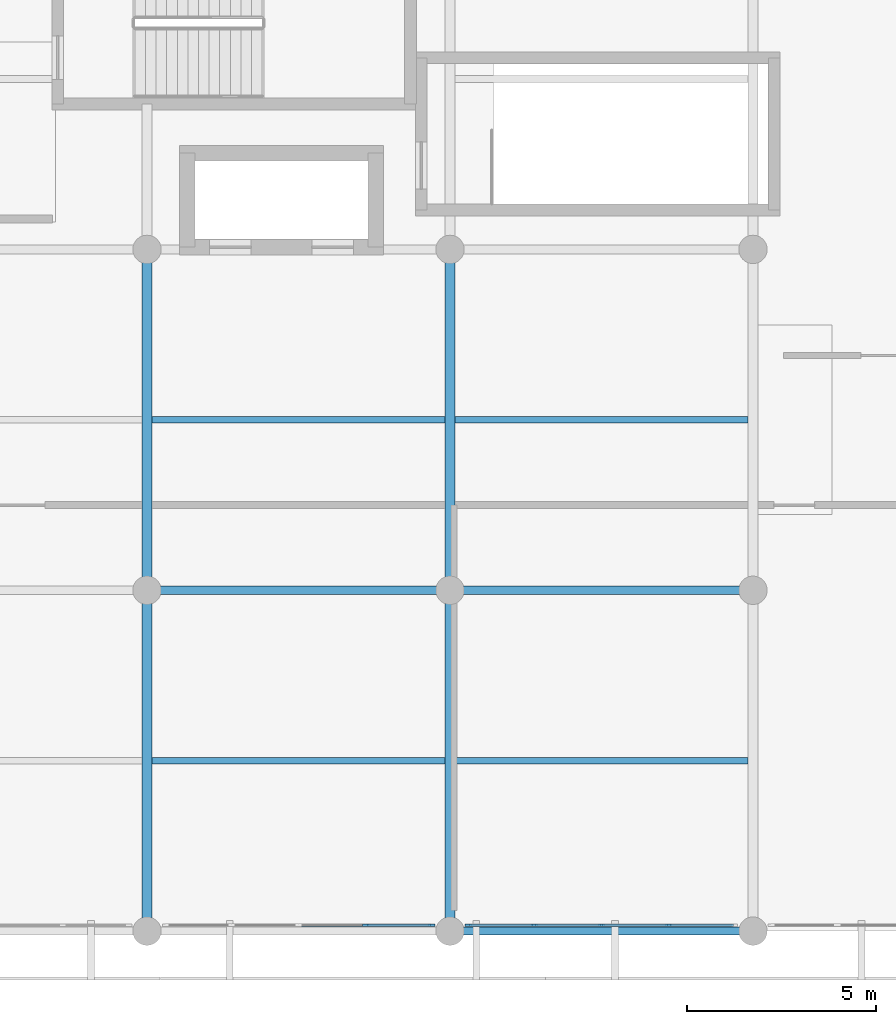
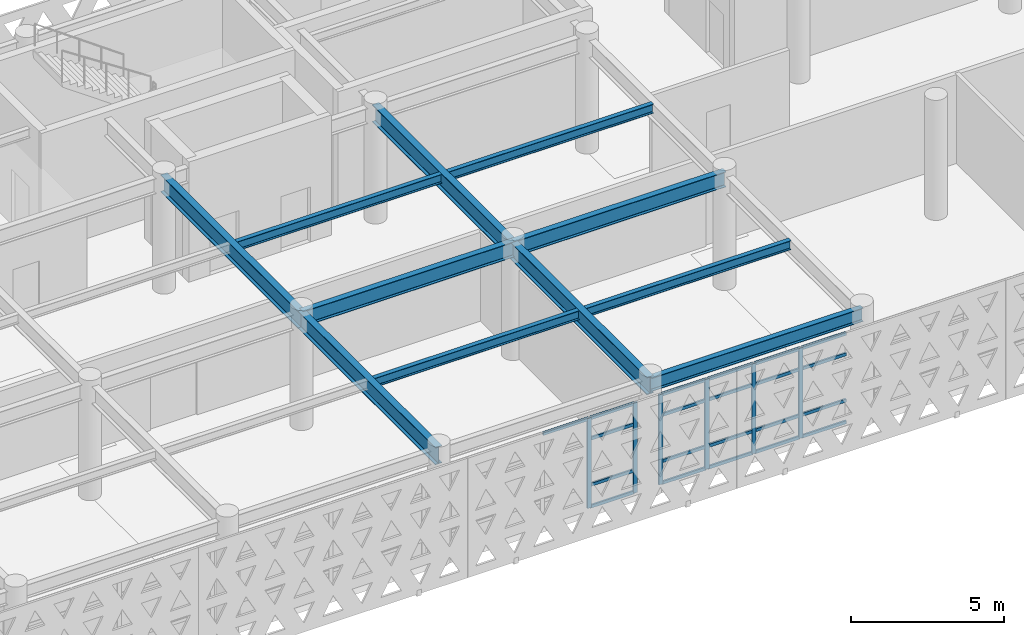
# One storey, part 11 of 33: 27 members, 11 beams, 2 elements without a shape of their own.
"""IFC4 building model written with IfcOpenShell, lengths in metres."""

from ifc_helpers import new_model, si_unit, direction, frame, origin, origin_2d, place, context, subcontext, project, spatial, rectangle, i_section, extrude, material, layer, layer_set, material_profile, profile_set, type_object, element, aggregate, save


model = new_model("IFC4")

# Units and contexts
model_context = context("Model", 3, precision=1e-05, world=origin(), true_north=direction((0.0, 1.0)))
body_context = subcontext(model_context, "Body", "Model", "MODEL_VIEW")
ifc_project = project(units=[si_unit("LENGTHUNIT", "METRE"), si_unit("AREAUNIT", "SQUARE_METRE"), si_unit("VOLUMEUNIT", "CUBIC_METRE"), si_unit("PLANEANGLEUNIT", "RADIAN"), si_unit("MASSUNIT", "GRAM", prefix="KILO")], contexts=[model_context])

# Site, building, storey
site_placement = place(None, origin())
site = spatial("IfcSite", under=ifc_project, at=site_placement, CompositionType="ELEMENT")
building_placement = place(site_placement, origin())
building = spatial("IfcBuilding", under=site, at=building_placement, Name="Tlacozan Convention Centre", CompositionType="ELEMENT")
storey_placement = place(building_placement, frame((0.0, 0.0, 16.199951171875)))
storey = spatial("IfcBuildingStorey", under=building, at=storey_placement, Name="L03", CompositionType="ELEMENT", Elevation=16.199951171875)

# Curtain wall, members
ifc_material_1 = material(Name="Dark Bronze Anodised Aluminium", Category="aluminium")
ifc_layer = layer(ifc_material_1, 0.159912109375)
ifc_layer_set = layer_set([ifc_layer], Name="Dark Bronze Anodised Aluminium")
curtain_wall_type = type_object("IfcCurtainWallType", Name="Unitised Congress L03 South CW04", PredefinedType="NOTDEFINED", material=ifc_layer_set)
curtain_wall_1_placement = place(storey_placement, origin())
curtain_wall_1 = element("IfcCurtainWall", 1, at=curtain_wall_1_placement, inside=storey, type_object=curtain_wall_type, Name="L03 CW-04 Run 110", PredefinedType="NOTDEFINED")
ifc_material_profile_1 = material_profile(ifc_material_1, rectangle(XDim=0.06494140625, YDim=0.159912109375, at=origin_2d()), Name="ALU 65x160")
ifc_profile_set_1 = profile_set([ifc_material_profile_1], Name="Dark Bronze Anodised Aluminium")
member_type_1 = type_object("IfcMemberType", Name="Curtain Wall Mullion 65x160", PredefinedType="MULLION", material=ifc_profile_set_1)
member_1_placement = place(storey_placement, frame((85.77490234375, 0.159912109375, 0.0), z_axis=(0.0, 0.0, 1.0), x_axis=(0.0, 1.0, 0.0)))
member_1 = element("IfcMember", 2, at=member_1_placement, type_object=member_type_1, Name="CW-04 mullion 4", PredefinedType="MULLION", context=body_context, shape_type="SweptSolid", body=[
    extrude(rectangle(XDim=0.06494140625, YDim=0.159912109375, at=origin_2d()), origin(), (0.0, 0.0, 1.0), 3.60009765625),
])
member_2_placement = place(storey_placement, frame((87.517578125, 0.159912109375, 0.0), z_axis=(0.0, 0.0, 1.0), x_axis=(0.0, 1.0, 0.0)))
member_2 = element("IfcMember", 3, at=member_2_placement, type_object=member_type_1, Name="CW-04 mullion 5", PredefinedType="MULLION", context=body_context, shape_type="SweptSolid", body=[
    extrude(rectangle(XDim=0.06494140625, YDim=0.159912109375, at=origin_2d()), origin(), (0.0, 0.0, 1.0), 3.60009765625),
])

curtain_wall_2_placement = place(storey_placement, origin())
curtain_wall_2 = element("IfcCurtainWall", 4, at=curtain_wall_2_placement, inside=storey, type_object=curtain_wall_type, Name="L03 CW-04 Run 111", PredefinedType="NOTDEFINED")
member_3_placement = place(storey_placement, frame((88.482421875, 0.159912109375, 0.0), z_axis=(0.0, 0.0, 1.0), x_axis=(0.0, 1.0, 0.0)))
member_3 = element("IfcMember", 5, at=member_3_placement, type_object=member_type_1, Name="CW-04 mullion 1", PredefinedType="MULLION", context=body_context, shape_type="SweptSolid", body=[
    extrude(rectangle(XDim=0.06494140625, YDim=0.159912109375, at=origin_2d()), origin(), (0.0, 0.0, 1.0), 3.60009765625),
])
member_4_placement = place(storey_placement, frame((90.22509765625, 0.159912109375, 0.0), z_axis=(0.0, 0.0, 1.0), x_axis=(0.0, 1.0, 0.0)))
member_4 = element("IfcMember", 6, at=member_4_placement, type_object=member_type_1, Name="CW-04 mullion 2", PredefinedType="MULLION", context=body_context, shape_type="SweptSolid", body=[
    extrude(rectangle(XDim=0.06494140625, YDim=0.159912109375, at=origin_2d()), origin(), (0.0, 0.0, 1.0), 3.60009765625),
])
member_5_placement = place(storey_placement, frame((92.0, 0.159912109375, 0.0), z_axis=(0.0, 0.0, 1.0), x_axis=(0.0, 1.0, 0.0)))
member_5 = element("IfcMember", 7, at=member_5_placement, type_object=member_type_1, Name="CW-04 mullion 3", PredefinedType="MULLION", context=body_context, shape_type="SweptSolid", body=[
    extrude(rectangle(XDim=0.06494140625, YDim=0.159912109375, at=origin_2d()), origin(), (0.0, 0.0, 1.0), 3.60009765625),
])
member_6_placement = place(storey_placement, frame((93.77490234375, 0.159912109375, 0.0), z_axis=(0.0, 0.0, 1.0), x_axis=(0.0, 1.0, 0.0)))
member_6 = element("IfcMember", 8, at=member_6_placement, type_object=member_type_1, Name="CW-04 mullion 4", PredefinedType="MULLION", context=body_context, shape_type="SweptSolid", body=[
    extrude(rectangle(XDim=0.06494140625, YDim=0.159912109375, at=origin_2d()), origin(), (0.0, 0.0, 1.0), 3.60009765625),
])

# Member
ifc_material_profile_2 = material_profile(ifc_material_1, rectangle(XDim=0.06494140625, YDim=0.125, at=origin_2d()), Name="ALU 65x125")
ifc_profile_set_2 = profile_set([ifc_material_profile_2], Name="Dark Bronze Anodised Aluminium")
member_type_2 = type_object("IfcMemberType", Name="Curtain Wall Transom 65x125", PredefinedType="USERDEFINED", material=ifc_profile_set_2)
member_7_placement = place(storey_placement, frame((84.032470703125, 0.159912109375, 3.567626953125), z_axis=(1.0, 0.0, 0.0), x_axis=(0.0, 1.0, 0.0)))
member_7 = element("IfcMember", 9, at=member_7_placement, type_object=member_type_2, Name="CW-04 transom 3.4", ObjectType="TRANSOM", PredefinedType="USERDEFINED", context=body_context, shape_type="SweptSolid", body=[
    extrude(rectangle(XDim=0.06494140625, YDim=0.125, at=origin_2d()), origin(), (0.0, 0.0, 1.0), 1.7099609375),
])

member_8_placement = place(storey_placement, frame((85.8076171875, 0.159912109375, 0.032470703125), z_axis=(1.0, 0.0, 0.0), x_axis=(0.0, 1.0, 0.0)))
member_8 = element("IfcMember", 10, at=member_8_placement, type_object=member_type_2, Name="CW-04 transom 4.1", ObjectType="TRANSOM", PredefinedType="USERDEFINED", context=body_context, shape_type="SweptSolid", body=[
    extrude(rectangle(XDim=0.06494140625, YDim=0.125, at=origin_2d()), origin(), (0.0, 0.0, 1.0), 1.677490234375),
])

member_9_placement = place(storey_placement, frame((85.8076171875, 0.159912109375, 0.900146484375), z_axis=(1.0, 0.0, 0.0), x_axis=(0.0, 1.0, 0.0)))
member_9 = element("IfcMember", 11, at=member_9_placement, type_object=member_type_2, Name="CW-04 transom 4.2", ObjectType="TRANSOM", PredefinedType="USERDEFINED", context=body_context, shape_type="SweptSolid", body=[
    extrude(rectangle(XDim=0.06494140625, YDim=0.125, at=origin_2d()), origin(), (0.0, 0.0, 1.0), 1.677490234375),
])

member_10_placement = place(storey_placement, frame((85.8076171875, 0.159912109375, 2.75), z_axis=(1.0, 0.0, 0.0), x_axis=(0.0, 1.0, 0.0)))
member_10 = element("IfcMember", 12, at=member_10_placement, type_object=member_type_2, Name="CW-04 transom 4.3", ObjectType="TRANSOM", PredefinedType="USERDEFINED", context=body_context, shape_type="SweptSolid", body=[
    extrude(rectangle(XDim=0.06494140625, YDim=0.125, at=origin_2d()), origin(), (0.0, 0.0, 1.0), 1.677490234375),
])

member_11_placement = place(storey_placement, frame((85.8076171875, 0.159912109375, 3.567626953125), z_axis=(1.0, 0.0, 0.0), x_axis=(0.0, 1.0, 0.0)))
member_11 = element("IfcMember", 13, at=member_11_placement, type_object=member_type_2, Name="CW-04 transom 4.4", ObjectType="TRANSOM", PredefinedType="USERDEFINED", context=body_context, shape_type="SweptSolid", body=[
    extrude(rectangle(XDim=0.06494140625, YDim=0.125, at=origin_2d()), origin(), (0.0, 0.0, 1.0), 1.677490234375),
])

aggregate(curtain_wall_1, [member_1, member_2, member_7, member_8, member_9, member_10, member_11])

member_12_placement = place(storey_placement, frame((88.514892578125, 0.159912109375, 0.032470703125), z_axis=(1.0, 0.0, 0.0), x_axis=(0.0, 1.0, 0.0)))
member_12 = element("IfcMember", 14, at=member_12_placement, type_object=member_type_2, Name="CW-04 transom 1.1", ObjectType="TRANSOM", PredefinedType="USERDEFINED", context=body_context, shape_type="SweptSolid", body=[
    extrude(rectangle(XDim=0.06494140625, YDim=0.125, at=origin_2d()), origin(), (0.0, 0.0, 1.0), 1.677490234375),
])

member_13_placement = place(storey_placement, frame((88.514892578125, 0.159912109375, 0.900146484375), z_axis=(1.0, 0.0, 0.0), x_axis=(0.0, 1.0, 0.0)))
member_13 = element("IfcMember", 15, at=member_13_placement, type_object=member_type_2, Name="CW-04 transom 1.2", ObjectType="TRANSOM", PredefinedType="USERDEFINED", context=body_context, shape_type="SweptSolid", body=[
    extrude(rectangle(XDim=0.06494140625, YDim=0.125, at=origin_2d()), origin(), (0.0, 0.0, 1.0), 1.677490234375),
])

member_14_placement = place(storey_placement, frame((88.514892578125, 0.159912109375, 2.75), z_axis=(1.0, 0.0, 0.0), x_axis=(0.0, 1.0, 0.0)))
member_14 = element("IfcMember", 16, at=member_14_placement, type_object=member_type_2, Name="CW-04 transom 1.3", ObjectType="TRANSOM", PredefinedType="USERDEFINED", context=body_context, shape_type="SweptSolid", body=[
    extrude(rectangle(XDim=0.06494140625, YDim=0.125, at=origin_2d()), origin(), (0.0, 0.0, 1.0), 1.677490234375),
])

member_15_placement = place(storey_placement, frame((88.514892578125, 0.159912109375, 3.567626953125), z_axis=(1.0, 0.0, 0.0), x_axis=(0.0, 1.0, 0.0)))
member_15 = element("IfcMember", 17, at=member_15_placement, type_object=member_type_2, Name="CW-04 transom 1.4", ObjectType="TRANSOM", PredefinedType="USERDEFINED", context=body_context, shape_type="SweptSolid", body=[
    extrude(rectangle(XDim=0.06494140625, YDim=0.125, at=origin_2d()), origin(), (0.0, 0.0, 1.0), 1.677490234375),
])

member_16_placement = place(storey_placement, frame((90.257568359375, 0.159912109375, 0.032470703125), z_axis=(1.0, 0.0, 0.0), x_axis=(0.0, 1.0, 0.0)))
member_16 = element("IfcMember", 18, at=member_16_placement, type_object=member_type_2, Name="CW-04 transom 2.1", ObjectType="TRANSOM", PredefinedType="USERDEFINED", context=body_context, shape_type="SweptSolid", body=[
    extrude(rectangle(XDim=0.06494140625, YDim=0.125, at=origin_2d()), origin(), (0.0, 0.0, 1.0), 1.7099609375),
])

member_17_placement = place(storey_placement, frame((90.257568359375, 0.159912109375, 0.900146484375), z_axis=(1.0, 0.0, 0.0), x_axis=(0.0, 1.0, 0.0)))
member_17 = element("IfcMember", 19, at=member_17_placement, type_object=member_type_2, Name="CW-04 transom 2.2", ObjectType="TRANSOM", PredefinedType="USERDEFINED", context=body_context, shape_type="SweptSolid", body=[
    extrude(rectangle(XDim=0.06494140625, YDim=0.125, at=origin_2d()), origin(), (0.0, 0.0, 1.0), 1.7099609375),
])

member_18_placement = place(storey_placement, frame((90.257568359375, 0.159912109375, 2.75), z_axis=(1.0, 0.0, 0.0), x_axis=(0.0, 1.0, 0.0)))
member_18 = element("IfcMember", 20, at=member_18_placement, type_object=member_type_2, Name="CW-04 transom 2.3", ObjectType="TRANSOM", PredefinedType="USERDEFINED", context=body_context, shape_type="SweptSolid", body=[
    extrude(rectangle(XDim=0.06494140625, YDim=0.125, at=origin_2d()), origin(), (0.0, 0.0, 1.0), 1.7099609375),
])

member_19_placement = place(storey_placement, frame((90.257568359375, 0.159912109375, 3.567626953125), z_axis=(1.0, 0.0, 0.0), x_axis=(0.0, 1.0, 0.0)))
member_19 = element("IfcMember", 21, at=member_19_placement, type_object=member_type_2, Name="CW-04 transom 2.4", ObjectType="TRANSOM", PredefinedType="USERDEFINED", context=body_context, shape_type="SweptSolid", body=[
    extrude(rectangle(XDim=0.06494140625, YDim=0.125, at=origin_2d()), origin(), (0.0, 0.0, 1.0), 1.7099609375),
])

member_20_placement = place(storey_placement, frame((92.032470703125, 0.159912109375, 0.032470703125), z_axis=(1.0, 0.0, 0.0), x_axis=(0.0, 1.0, 0.0)))
member_20 = element("IfcMember", 22, at=member_20_placement, type_object=member_type_2, Name="CW-04 transom 3.1", ObjectType="TRANSOM", PredefinedType="USERDEFINED", context=body_context, shape_type="SweptSolid", body=[
    extrude(rectangle(XDim=0.06494140625, YDim=0.125, at=origin_2d()), origin(), (0.0, 0.0, 1.0), 1.7099609375),
])

member_21_placement = place(storey_placement, frame((92.032470703125, 0.159912109375, 0.900146484375), z_axis=(1.0, 0.0, 0.0), x_axis=(0.0, 1.0, 0.0)))
member_21 = element("IfcMember", 23, at=member_21_placement, type_object=member_type_2, Name="CW-04 transom 3.2", ObjectType="TRANSOM", PredefinedType="USERDEFINED", context=body_context, shape_type="SweptSolid", body=[
    extrude(rectangle(XDim=0.06494140625, YDim=0.125, at=origin_2d()), origin(), (0.0, 0.0, 1.0), 1.7099609375),
])

member_22_placement = place(storey_placement, frame((92.032470703125, 0.159912109375, 2.75), z_axis=(1.0, 0.0, 0.0), x_axis=(0.0, 1.0, 0.0)))
member_22 = element("IfcMember", 24, at=member_22_placement, type_object=member_type_2, Name="CW-04 transom 3.3", ObjectType="TRANSOM", PredefinedType="USERDEFINED", context=body_context, shape_type="SweptSolid", body=[
    extrude(rectangle(XDim=0.06494140625, YDim=0.125, at=origin_2d()), origin(), (0.0, 0.0, 1.0), 1.7099609375),
])

member_23_placement = place(storey_placement, frame((92.032470703125, 0.159912109375, 3.567626953125), z_axis=(1.0, 0.0, 0.0), x_axis=(0.0, 1.0, 0.0)))
member_23 = element("IfcMember", 25, at=member_23_placement, type_object=member_type_2, Name="CW-04 transom 3.4", ObjectType="TRANSOM", PredefinedType="USERDEFINED", context=body_context, shape_type="SweptSolid", body=[
    extrude(rectangle(XDim=0.06494140625, YDim=0.125, at=origin_2d()), origin(), (0.0, 0.0, 1.0), 1.7099609375),
])

member_24_placement = place(storey_placement, frame((93.8076171875, 0.159912109375, 0.032470703125), z_axis=(1.0, 0.0, 0.0), x_axis=(0.0, 1.0, 0.0)))
member_24 = element("IfcMember", 26, at=member_24_placement, type_object=member_type_2, Name="CW-04 transom 4.1", ObjectType="TRANSOM", PredefinedType="USERDEFINED", context=body_context, shape_type="SweptSolid", body=[
    extrude(rectangle(XDim=0.06494140625, YDim=0.125, at=origin_2d()), origin(), (0.0, 0.0, 1.0), 1.677490234375),
])

member_25_placement = place(storey_placement, frame((93.8076171875, 0.159912109375, 0.900146484375), z_axis=(1.0, 0.0, 0.0), x_axis=(0.0, 1.0, 0.0)))
member_25 = element("IfcMember", 27, at=member_25_placement, type_object=member_type_2, Name="CW-04 transom 4.2", ObjectType="TRANSOM", PredefinedType="USERDEFINED", context=body_context, shape_type="SweptSolid", body=[
    extrude(rectangle(XDim=0.06494140625, YDim=0.125, at=origin_2d()), origin(), (0.0, 0.0, 1.0), 1.677490234375),
])

member_26_placement = place(storey_placement, frame((93.8076171875, 0.159912109375, 2.75), z_axis=(1.0, 0.0, 0.0), x_axis=(0.0, 1.0, 0.0)))
member_26 = element("IfcMember", 28, at=member_26_placement, type_object=member_type_2, Name="CW-04 transom 4.3", ObjectType="TRANSOM", PredefinedType="USERDEFINED", context=body_context, shape_type="SweptSolid", body=[
    extrude(rectangle(XDim=0.06494140625, YDim=0.125, at=origin_2d()), origin(), (0.0, 0.0, 1.0), 1.677490234375),
])

member_27_placement = place(storey_placement, frame((93.8076171875, 0.159912109375, 3.567626953125), z_axis=(1.0, 0.0, 0.0), x_axis=(0.0, 1.0, 0.0)))
member_27 = element("IfcMember", 29, at=member_27_placement, type_object=member_type_2, Name="CW-04 transom 4.4", ObjectType="TRANSOM", PredefinedType="USERDEFINED", context=body_context, shape_type="SweptSolid", body=[
    extrude(rectangle(XDim=0.06494140625, YDim=0.125, at=origin_2d()), origin(), (0.0, 0.0, 1.0), 1.677490234375),
])

aggregate(curtain_wall_2, [member_3, member_4, member_5, member_6, member_12, member_13, member_14, member_15, member_16, member_17, member_18, member_19, member_20, member_21, member_22, member_23, member_24, member_25, member_26, member_27])

# Beams
ifc_material_2 = material(Name="Steel ASTM A992 Grade 50", Category="steel")
ifc_material_profile_3 = material_profile(ifc_material_2, i_section(OverallWidth=0.22900390625, OverallDepth=0.612060546875, WebThickness=0.011962890625, FlangeThickness=0.01953125, FilletRadius=0.012939453125, at=origin_2d()), Name="IR 610x125.0")
ifc_profile_set_3 = profile_set([ifc_material_profile_3], Name="Steel ASTM A992 Grade 50")
beam_type_1 = type_object("IfcBeamType", Name="Floor Beam IR 610x125", PredefinedType="BEAM", material=ifc_profile_set_3)
for number, where, z_axis, x_axis, name in (
    (30, (80.0, 9.0, 4.254150390625), (1.0, 0.0, 0.0), (0.0, 1.0, 0.0), "L03 Floor Beam IR 610x125 613"),
    (31, (88.0, 9.0, 4.254150390625), (1.0, 0.0, 0.0), (0.0, 1.0, 0.0), "L03 Floor Beam IR 610x125 617"),
):
    element("IfcBeam", number, at=place(storey_placement, frame(where, z_axis=z_axis, x_axis=x_axis)), inside=storey, type_object=beam_type_1, Name=name, PredefinedType="BEAM", context=body_context, shape_type="SweptSolid", body=[
        extrude(i_section(OverallWidth=0.22900390625, OverallDepth=0.612060546875, WebThickness=0.011962890625, FlangeThickness=0.01953125, FilletRadius=0.012939453125, at=origin_2d()), origin(), (0.0, 0.0, 1.0), 8.0),
    ])
ifc_material_profile_4 = material_profile(ifc_material_2, i_section(OverallWidth=0.256103515625, OverallDepth=0.693115234375, WebThickness=0.014404296875, FlangeThickness=0.023681640625, FilletRadius=0.014892578125, at=origin_2d()), Name="IR 686x170.0")
ifc_profile_set_4 = profile_set([ifc_material_profile_4], Name="Steel ASTM A992 Grade 50")
beam_type_2 = type_object("IfcBeamType", Name="Girder Steel IR 686x170", PredefinedType="BEAM", material=ifc_profile_set_4)
for number, where, z_axis, x_axis, name in (
    (32, (80.0, 0.0, 4.213623046875), (0.0, 1.0, 0.0), (-1.0, 0.0, 0.0), "L03 Girder Steel IR 686x170 564"),
    (33, (80.0, 9.0, 4.213623046875), (0.0, 1.0, 0.0), (-1.0, 0.0, 0.0), "L03 Girder Steel IR 686x170 565"),
    (34, (88.0, 0.0, 4.213623046875), (0.0, 1.0, 0.0), (-1.0, 0.0, 0.0), "L03 Girder Steel IR 686x170 567"),
    (35, (88.0, 9.0, 4.213623046875), (0.0, 1.0, 0.0), (-1.0, 0.0, 0.0), "L03 Girder Steel IR 686x170 568"),
):
    element("IfcBeam", number, at=place(storey_placement, frame(where, z_axis=z_axis, x_axis=x_axis)), inside=storey, type_object=beam_type_2, Name=name, PredefinedType="BEAM", context=body_context, shape_type="SweptSolid", body=[
        extrude(i_section(OverallWidth=0.256103515625, OverallDepth=0.693115234375, WebThickness=0.014404296875, FlangeThickness=0.023681640625, FilletRadius=0.014892578125, at=origin_2d()), origin(), (0.0, 0.0, 1.0), 9.0),
    ])
ifc_material_profile_5 = material_profile(ifc_material_2, i_section(OverallWidth=0.2109375, OverallDepth=0.5390625, WebThickness=0.01171875, FlangeThickness=0.018798828125, FilletRadius=0.012939453125, at=origin_2d()), Name="IR 533x109.0")
ifc_profile_set_5 = profile_set([ifc_material_profile_5], Name="Steel ASTM A992 Grade 50")
beam_type_3 = type_object("IfcBeamType", Name="Perimeter Spandrel IR 533x109", PredefinedType="SPANDREL", material=ifc_profile_set_5)
beam_placement = place(storey_placement, frame((88.0, 0.0, 4.29052734375), z_axis=(1.0, 0.0, 0.0), x_axis=(0.0, 1.0, 0.0)))
element("IfcBeam", 36, at=beam_placement, inside=storey, type_object=beam_type_3, Name="L03 Perimeter Spandrel IR 533x109 616", PredefinedType="SPANDREL", context=body_context, shape_type="SweptSolid", body=[
    extrude(i_section(OverallWidth=0.2109375, OverallDepth=0.5390625, WebThickness=0.01171875, FlangeThickness=0.018798828125, FilletRadius=0.012939453125, at=origin_2d()), origin(), (0.0, 0.0, 1.0), 8.0),
])
ifc_material_profile_6 = material_profile(ifc_material_2, i_section(OverallWidth=0.173095703125, OverallDepth=0.364013671875, WebThickness=0.009033203125, FlangeThickness=0.015625, FilletRadius=0.010009765625, at=origin_2d()), Name="IR 356x67.1")
ifc_profile_set_6 = profile_set([ifc_material_profile_6], Name="Steel ASTM A992 Grade 50")
beam_type_4 = type_object("IfcBeamType", Name="Secondary Joist IR 356x67.1", PredefinedType="JOIST", material=ifc_profile_set_6)
for number, where, z_axis, x_axis, name in (
    (37, (80.1259765625, 4.5, 4.3779296875), (1.0, 0.0, 0.0), (0.0, 1.0, 0.0), "L03 Secondary Joist IR 356x67.1 645"),
    (38, (80.1259765625, 13.5, 4.3779296875), (1.0, 0.0, 0.0), (0.0, 1.0, 0.0), "L03 Secondary Joist IR 356x67.1 646"),
    (39, (88.1259765625, 4.5, 4.3779296875), (1.0, 0.0, 0.0), (0.0, 1.0, 0.0), "L03 Secondary Joist IR 356x67.1 647"),
    (40, (88.1259765625, 13.5, 4.3779296875), (1.0, 0.0, 0.0), (0.0, 1.0, 0.0), "L03 Secondary Joist IR 356x67.1 648"),
):
    element("IfcBeam", number, at=place(storey_placement, frame(where, z_axis=z_axis, x_axis=x_axis)), inside=storey, type_object=beam_type_4, Name=name, PredefinedType="JOIST", context=body_context, shape_type="SweptSolid", body=[
        extrude(i_section(OverallWidth=0.173095703125, OverallDepth=0.364013671875, WebThickness=0.009033203125, FlangeThickness=0.015625, FilletRadius=0.010009765625, at=origin_2d()), origin(), (0.0, 0.0, 1.0), 7.748046875),
    ])

save(model, "model.ifc")
